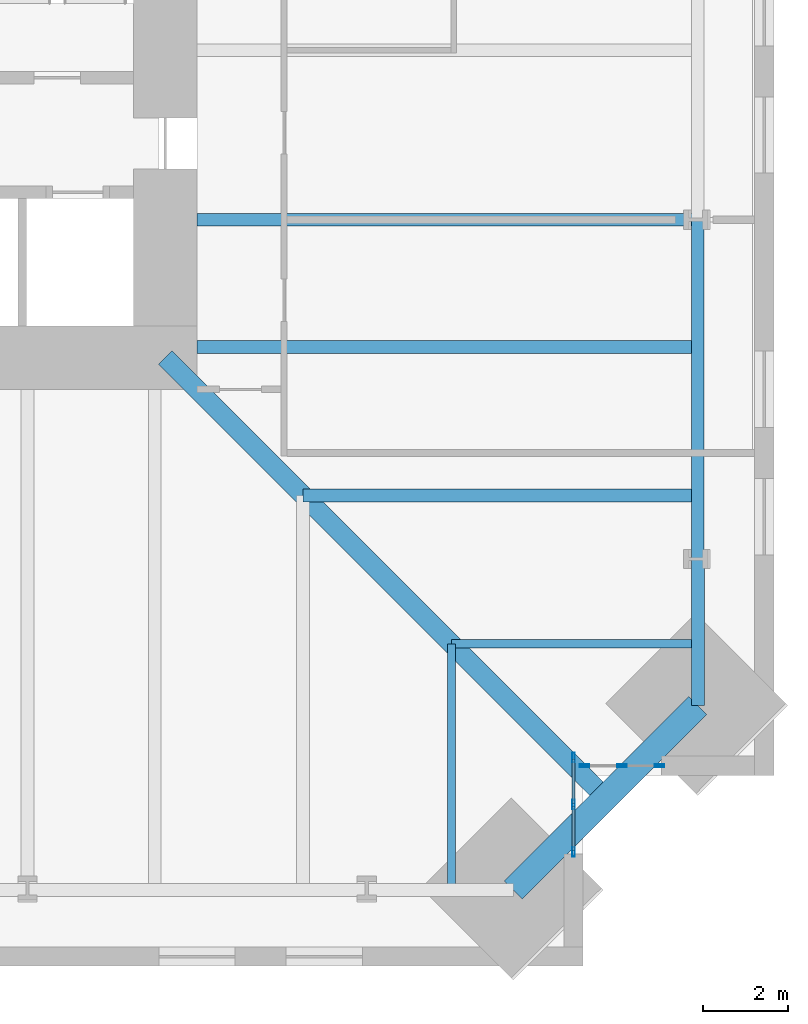
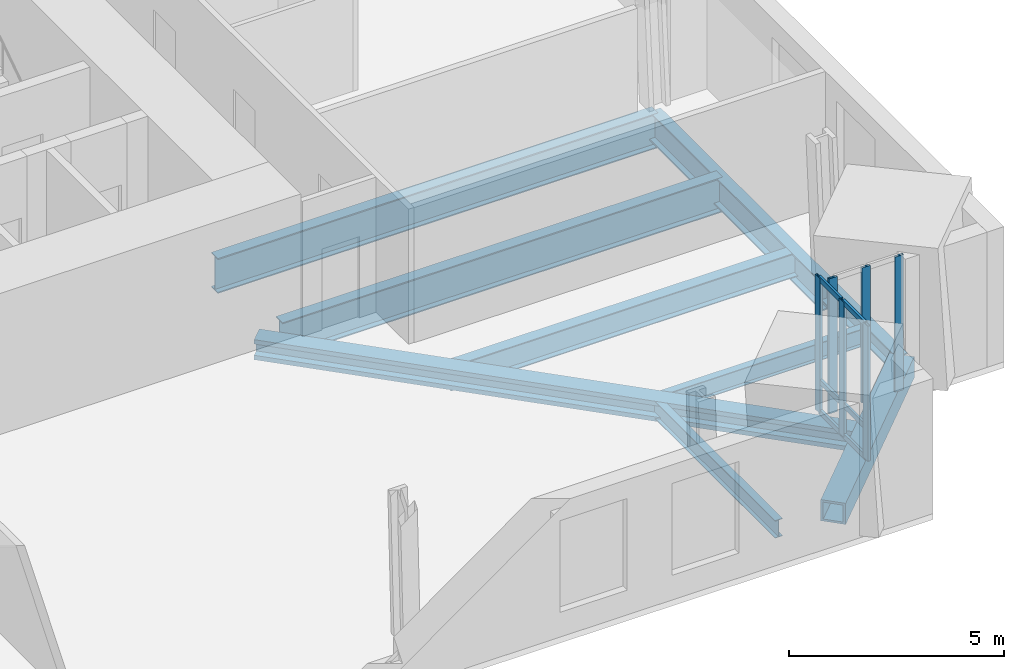
# One storey, part 4 of 18: 12 members, 9 beams, 2 elements without a shape of their own.
"""IFC4 building model written with IfcOpenShell, lengths in metres."""

from ifc_helpers import new_model, si_unit, direction, frame, origin, origin_2d, place, context, subcontext, project, spatial, hollow_rectangle, i_section, extrude, material, material_profile, profile_set, type_object, element, aggregate, save


model = new_model("IFC4")

# Units and contexts
model_context = context("Model", 3, precision=1e-05, world=origin(), true_north=direction((0.0, 1.0)))
body_context = subcontext(model_context, "Body", "Model", "MODEL_VIEW")
ifc_project = project(units=[si_unit("LENGTHUNIT", "METRE"), si_unit("AREAUNIT", "SQUARE_METRE"), si_unit("VOLUMEUNIT", "CUBIC_METRE"), si_unit("PLANEANGLEUNIT", "RADIAN"), si_unit("MASSUNIT", "GRAM", prefix="KILO")], contexts=[model_context])

# Site, building, storey
site_placement = place(None, origin())
site = spatial("IfcSite", under=ifc_project, at=site_placement, CompositionType="ELEMENT")
building_placement = place(site_placement, origin())
building = spatial("IfcBuilding", under=site, at=building_placement, Name="Peilmerk Tower", CompositionType="ELEMENT")
storey_placement = place(building_placement, frame((0.0, 0.0, 175.800048828125)))
storey = spatial("IfcBuildingStorey", under=building, at=storey_placement, Name="L37", CompositionType="ELEMENT", Elevation=175.800048828125)

# Beams
ifc_material_1 = material(Name="Steel S355", Category="steel")
ifc_material_profile_1 = material_profile(ifc_material_1, i_section(OverallWidth=0.300048828125, OverallDepth=0.989990234375, WebThickness=0.0166015625, FlangeThickness=0.031005859375, at=origin_2d()), Name="HEA 1000")
ifc_profile_set_1 = profile_set([ifc_material_profile_1], Name="Steel S355")
beam_type_1 = type_object("IfcBeamType", Name="B14 HEA 1000 floor girder", PredefinedType="BEAM", material=ifc_profile_set_1)
for number, where, z_axis, x_axis, name in (
    (1, (12.0, -11.0, -0.6650390625), (1.0, 0.0, 0.0), (0.0, 1.0, 0.0), "Floor beam L37"),
    (2, (12.0, -8.0, -0.6650390625), (1.0, 0.0, 0.0), (0.0, 1.0, 0.0), "Floor beam L37"),
):
    element("IfcBeam", number, at=place(storey_placement, frame(where, z_axis=z_axis, x_axis=x_axis)), inside=storey, type_object=beam_type_1, Name=name, PredefinedType="BEAM", context=body_context, shape_type="SweptSolid", body=[
        extrude(i_section(OverallWidth=0.300048828125, OverallDepth=0.989990234375, WebThickness=0.0166015625, FlangeThickness=0.031005859375, at=origin_2d()), origin(), (0.0, 0.0, 1.0), 11.80810546875),
    ])
ifc_material_profile_2 = material_profile(ifc_material_1, i_section(OverallWidth=0.302978515625, OverallDepth=0.81396484375, WebThickness=0.02099609375, FlangeThickness=0.0400390625, at=origin_2d()), Name="HEM 800")
ifc_profile_set_2 = profile_set([ifc_material_profile_2], Name="Steel S355")
beam_type_2 = type_object("IfcBeamType", Name="B15 HEM 800 edge beam", PredefinedType="SPANDREL", material=ifc_profile_set_2)
beam_1_placement = place(storey_placement, frame((23.80810546875, -16.0, -0.5771484375), z_axis=(0.0, 1.0, 0.0), x_axis=(-1.0, 0.0, 0.0)))
element("IfcBeam", 3, at=beam_1_placement, inside=storey, type_object=beam_type_2, Name="Edge beam L37", PredefinedType="SPANDREL", context=body_context, shape_type="SweptSolid", body=[
    extrude(i_section(OverallWidth=0.302978515625, OverallDepth=0.81396484375, WebThickness=0.02099609375, FlangeThickness=0.0400390625, at=origin_2d()), origin(), (0.0, 0.0, 1.0), 8.0),
])
ifc_material_profile_3 = material_profile(ifc_material_1, i_section(OverallWidth=0.300048828125, OverallDepth=0.68994140625, WebThickness=0.014404296875, FlangeThickness=0.027099609375, at=origin_2d()), Name="HEA 700")
ifc_profile_set_3 = profile_set([ifc_material_profile_3], Name="Steel S355")
beam_type_3 = type_object("IfcBeamType", Name="B16 HEA 700 floor beam", PredefinedType="BEAM", material=ifc_profile_set_3)
beam_2_placement = place(storey_placement, frame((14.5, -14.5, -0.51513671875), z_axis=(1.0, 0.0, 0.0), x_axis=(0.0, 1.0, 0.0)))
element("IfcBeam", 4, at=beam_2_placement, inside=storey, type_object=beam_type_3, Name="Floor beam L37", PredefinedType="BEAM", context=body_context, shape_type="SweptSolid", body=[
    extrude(i_section(OverallWidth=0.300048828125, OverallDepth=0.68994140625, WebThickness=0.014404296875, FlangeThickness=0.027099609375, at=origin_2d()), origin(), (0.0, 0.0, 1.0), 9.30810546875),
])
ifc_material_2 = material(Name="Steel S460", Category="steel")
ifc_material_profile_4 = material_profile(ifc_material_2, hollow_rectangle(XDim=0.60009765625, YDim=0.60009765625, WallThickness=0.06005859375, at=origin_2d()), Name="BOX 600x600x60")
ifc_profile_set_4 = profile_set([ifc_material_profile_4], Name="Steel S460")
beam_type_4 = type_object("IfcBeamType", Name="B20 BOX 600x600x60 notch beam", PredefinedType="SPANDREL", material=ifc_profile_set_4)
beam_3_placement = place(storey_placement, frame((23.80810546875, -19.4580078125, -0.469970703125), z_axis=(-0.707106781187, -0.707106781187, 0.0), x_axis=(0.707106781187, -0.707106781187, 0.0)))
element("IfcBeam", 5, at=beam_3_placement, inside=storey, type_object=beam_type_4, Name="Notch beam L37", PredefinedType="SPANDREL", context=body_context, shape_type="SweptSolid", body=[
    extrude(hollow_rectangle(XDim=0.60009765625, YDim=0.60009765625, WallThickness=0.06005859375, at=origin_2d()), origin(), (0.0, 0.0, 1.0), 6.15185546875),
])
ifc_material_profile_5 = material_profile(ifc_material_1, i_section(OverallWidth=0.199951171875, OverallDepth=0.5, WebThickness=0.01025390625, FlangeThickness=0.01611328125, at=origin_2d()), Name="IPE 500")
ifc_profile_set_5 = profile_set([ifc_material_profile_5], Name="Steel S355")
beam_type_5 = type_object("IfcBeamType", Name="B32 IPE 500 floor beam", PredefinedType="BEAM", material=ifc_profile_set_5)
for number, where, z_axis, x_axis, name in (
    (6, (18.0, -18.0, -0.420166015625), (0.0, -1.0, 0.0), (1.0, 0.0, 0.0), "Floor beam L37"),
    (7, (18.0, -18.0, -0.420166015625), (1.0, 0.0, 0.0), (0.0, 1.0, 0.0), "Floor beam L37"),
):
    element("IfcBeam", number, at=place(storey_placement, frame(where, z_axis=z_axis, x_axis=x_axis)), inside=storey, type_object=beam_type_5, Name=name, PredefinedType="BEAM", context=body_context, shape_type="SweptSolid", body=[
        extrude(i_section(OverallWidth=0.199951171875, OverallDepth=0.5, WebThickness=0.01025390625, FlangeThickness=0.01611328125, at=origin_2d()), origin(), (0.0, 0.0, 1.0), 5.80810546875),
    ])
ifc_material_profile_6 = material_profile(ifc_material_1, i_section(OverallWidth=0.305908203125, OverallDepth=0.52392578125, WebThickness=0.02099609375, FlangeThickness=0.0400390625, at=origin_2d()), Name="HEM 500")
ifc_profile_set_6 = profile_set([ifc_material_profile_6], Name="Steel S355")
beam_type_6 = type_object("IfcBeamType", Name="B33 HEM 500 edge beam", PredefinedType="SPANDREL", material=ifc_profile_set_6)
beam_4_placement = place(storey_placement, frame((23.80810546875, -19.4580078125, -0.43212890625), z_axis=(0.0, 1.0, 0.0), x_axis=(-1.0, 0.0, 0.0)))
element("IfcBeam", 8, at=beam_4_placement, inside=storey, type_object=beam_type_6, Name="Edge beam L37", PredefinedType="SPANDREL", context=body_context, shape_type="SweptSolid", body=[
    extrude(i_section(OverallWidth=0.305908203125, OverallDepth=0.52392578125, WebThickness=0.02099609375, FlangeThickness=0.0400390625, at=origin_2d()), origin(), (0.0, 0.0, 1.0), 3.4580078125),
])
ifc_material_profile_7 = material_profile(ifc_material_2, i_section(OverallWidth=0.4541015625, OverallDepth=0.569091796875, WebThickness=0.077880859375, FlangeThickness=0.125, at=origin_2d()), Name="HD 400x1086")
ifc_profile_set_7 = profile_set([ifc_material_profile_7], Name="Steel S460")
beam_type_7 = type_object("IfcBeamType", Name="B9 HD 400x1086 corner girder", PredefinedType="BEAM", material=ifc_profile_set_7)
beam_5_placement = place(storey_placement, frame((11.25, -11.25, -0.45458984375), z_axis=(0.707106781187, -0.707106781187, 0.0), x_axis=(0.707106781187, 0.707106781187, 0.0)))
element("IfcBeam", 9, at=beam_5_placement, inside=storey, type_object=beam_type_7, Name="Corner girder L37", PredefinedType="BEAM", context=body_context, shape_type="SweptSolid", body=[
    extrude(i_section(OverallWidth=0.4541015625, OverallDepth=0.569091796875, WebThickness=0.077880859375, FlangeThickness=0.125, at=origin_2d()), origin(), (0.0, 0.0, 1.0), 14.683837890625),
])

# Curtain wall, members
ifc_material_3 = material(Name="Aluminium stick curtain wall", Category="aluminium")
curtain_wall_type = type_object("IfcCurtainWallType", Name="CW3 stick curtain wall, 2250 module", PredefinedType="NOTDEFINED", material=ifc_material_3)
curtain_wall_1_placement = place(storey_placement, origin())
curtain_wall_1 = element("IfcCurtainWall", 10, at=curtain_wall_1_placement, inside=storey, type_object=curtain_wall_type, Name="Curtain wall CW3 SEA L37", PredefinedType="NOTDEFINED")
ifc_material_4 = material(Name="Aluminium EN AW-6063 T6", Category="aluminium")
ifc_material_profile_8 = material_profile(ifc_material_4, hollow_rectangle(XDim=0.06494140625, YDim=0.22509765625, WallThickness=0.00390625, at=origin_2d()), Name="AL 225x65x4")
ifc_profile_set_8 = profile_set([ifc_material_profile_8], Name="Aluminium EN AW-6063 T6")
member_type_1 = type_object("IfcMemberType", Name="CW3-M AL 225x65x4 mullion", PredefinedType="MULLION", material=ifc_profile_set_8)
member_1_placement = place(storey_placement, frame((20.875, -20.6826171875, 0.0), z_axis=(0.0, 0.0, 1.0), x_axis=(1.0, 0.0, 0.0)))
member_1 = element("IfcMember", 11, at=member_1_placement, type_object=member_type_1, Name="CW3 mullion 1", PredefinedType="MULLION", context=body_context, shape_type="SweptSolid", body=[
    extrude(hollow_rectangle(XDim=0.06494140625, YDim=0.22509765625, WallThickness=0.00390625, at=origin_2d()), origin(), (0.0, 0.0, 1.0), 3.829833984375),
])
member_2_placement = place(storey_placement, frame((20.875, -21.79443359375, 0.0), z_axis=(0.0, 0.0, 1.0), x_axis=(1.0, 0.0, 0.0)))
member_2 = element("IfcMember", 12, at=member_2_placement, type_object=member_type_1, Name="CW3 mullion 2", PredefinedType="MULLION", context=body_context, shape_type="SweptSolid", body=[
    extrude(hollow_rectangle(XDim=0.06494140625, YDim=0.22509765625, WallThickness=0.00390625, at=origin_2d()), origin(), (0.0, 0.0, 1.0), 3.829833984375),
])
member_3_placement = place(storey_placement, frame((20.875, -22.90625, 0.0), z_axis=(0.0, 0.0, 1.0), x_axis=(1.0, 0.0, 0.0)))
member_3 = element("IfcMember", 13, at=member_3_placement, type_object=member_type_1, Name="CW3 mullion 3", PredefinedType="MULLION", context=body_context, shape_type="SweptSolid", body=[
    extrude(hollow_rectangle(XDim=0.06494140625, YDim=0.22509765625, WallThickness=0.00390625, at=origin_2d()), origin(), (0.0, 0.0, 1.0), 3.829833984375),
])

curtain_wall_2_placement = place(storey_placement, origin())
curtain_wall_2 = element("IfcCurtainWall", 14, at=curtain_wall_2_placement, inside=storey, type_object=curtain_wall_type, Name="Curtain wall CW3 SEB L37", PredefinedType="NOTDEFINED")
member_4_placement = place(storey_placement, frame((21.132568359375, -20.875, 0.0), z_axis=(0.0, 0.0, 1.0), x_axis=(0.0, 1.0, 0.0)))
member_4 = element("IfcMember", 15, at=member_4_placement, type_object=member_type_1, Name="CW3 mullion 1", PredefinedType="MULLION", context=body_context, shape_type="SweptSolid", body=[
    extrude(hollow_rectangle(XDim=0.06494140625, YDim=0.22509765625, WallThickness=0.00390625, at=origin_2d()), origin(), (0.0, 0.0, 1.0), 3.829833984375),
])
member_5_placement = place(storey_placement, frame((22.019287109375, -20.875, 0.0), z_axis=(0.0, 0.0, 1.0), x_axis=(0.0, 1.0, 0.0)))
member_5 = element("IfcMember", 16, at=member_5_placement, type_object=member_type_1, Name="CW3 mullion 2", PredefinedType="MULLION", context=body_context, shape_type="SweptSolid", body=[
    extrude(hollow_rectangle(XDim=0.06494140625, YDim=0.22509765625, WallThickness=0.00390625, at=origin_2d()), origin(), (0.0, 0.0, 1.0), 3.829833984375),
])
member_6_placement = place(storey_placement, frame((22.90625, -20.875, 0.0), z_axis=(0.0, 0.0, 1.0), x_axis=(0.0, 1.0, 0.0)))
member_6 = element("IfcMember", 17, at=member_6_placement, type_object=member_type_1, Name="CW3 mullion 3", PredefinedType="MULLION", context=body_context, shape_type="SweptSolid", body=[
    extrude(hollow_rectangle(XDim=0.06494140625, YDim=0.22509765625, WallThickness=0.00390625, at=origin_2d()), origin(), (0.0, 0.0, 1.0), 3.829833984375),
])
aggregate(curtain_wall_2, [member_4, member_5, member_6])

# Member
ifc_material_profile_9 = material_profile(ifc_material_4, hollow_rectangle(XDim=0.06494140625, YDim=0.14990234375, WallThickness=0.0029296875, at=origin_2d()), Name="AL 150x65x3")
ifc_profile_set_9 = profile_set([ifc_material_profile_9], Name="Aluminium EN AW-6063 T6")
member_type_2 = type_object("IfcMemberType", Name="CW3-T AL 150x65x3 transom", PredefinedType="USERDEFINED", material=ifc_profile_set_9)
member_7_placement = place(storey_placement, frame((20.875, -20.715087890625, 0.032470703125), z_axis=(0.0, -1.0, 0.0), x_axis=(1.0, 0.0, 0.0)))
member_7 = element("IfcMember", 18, at=member_7_placement, type_object=member_type_2, Name="CW3 transom 1.1", ObjectType="TRANSOM", PredefinedType="USERDEFINED", context=body_context, shape_type="SweptSolid", body=[
    extrude(hollow_rectangle(XDim=0.06494140625, YDim=0.14990234375, WallThickness=0.0029296875, at=origin_2d()), origin(), (0.0, 0.0, 1.0), 1.046630859375),
])

member_8_placement = place(storey_placement, frame((20.875, -20.715087890625, 0.89990234375), z_axis=(0.0, -1.0, 0.0), x_axis=(1.0, 0.0, 0.0)))
member_8 = element("IfcMember", 19, at=member_8_placement, type_object=member_type_2, Name="CW3 transom 1.2", ObjectType="TRANSOM", PredefinedType="USERDEFINED", context=body_context, shape_type="SweptSolid", body=[
    extrude(hollow_rectangle(XDim=0.06494140625, YDim=0.14990234375, WallThickness=0.0029296875, at=origin_2d()), origin(), (0.0, 0.0, 1.0), 1.046630859375),
])

member_9_placement = place(storey_placement, frame((20.875, -20.715087890625, 3.79736328125), z_axis=(0.0, -1.0, 0.0), x_axis=(1.0, 0.0, 0.0)))
member_9 = element("IfcMember", 20, at=member_9_placement, type_object=member_type_2, Name="CW3 transom 1.3", ObjectType="TRANSOM", PredefinedType="USERDEFINED", context=body_context, shape_type="SweptSolid", body=[
    extrude(hollow_rectangle(XDim=0.06494140625, YDim=0.14990234375, WallThickness=0.0029296875, at=origin_2d()), origin(), (0.0, 0.0, 1.0), 1.046630859375),
])

member_10_placement = place(storey_placement, frame((20.875, -21.826904296875, 0.032470703125), z_axis=(0.0, -1.0, 0.0), x_axis=(1.0, 0.0, 0.0)))
member_10 = element("IfcMember", 21, at=member_10_placement, type_object=member_type_2, Name="CW3 transom 2.1", ObjectType="TRANSOM", PredefinedType="USERDEFINED", context=body_context, shape_type="SweptSolid", body=[
    extrude(hollow_rectangle(XDim=0.06494140625, YDim=0.14990234375, WallThickness=0.0029296875, at=origin_2d()), origin(), (0.0, 0.0, 1.0), 1.046875),
])

member_11_placement = place(storey_placement, frame((20.875, -21.826904296875, 0.89990234375), z_axis=(0.0, -1.0, 0.0), x_axis=(1.0, 0.0, 0.0)))
member_11 = element("IfcMember", 22, at=member_11_placement, type_object=member_type_2, Name="CW3 transom 2.2", ObjectType="TRANSOM", PredefinedType="USERDEFINED", context=body_context, shape_type="SweptSolid", body=[
    extrude(hollow_rectangle(XDim=0.06494140625, YDim=0.14990234375, WallThickness=0.0029296875, at=origin_2d()), origin(), (0.0, 0.0, 1.0), 1.046875),
])

member_12_placement = place(storey_placement, frame((20.875, -21.826904296875, 3.79736328125), z_axis=(0.0, -1.0, 0.0), x_axis=(1.0, 0.0, 0.0)))
member_12 = element("IfcMember", 23, at=member_12_placement, type_object=member_type_2, Name="CW3 transom 2.3", ObjectType="TRANSOM", PredefinedType="USERDEFINED", context=body_context, shape_type="SweptSolid", body=[
    extrude(hollow_rectangle(XDim=0.06494140625, YDim=0.14990234375, WallThickness=0.0029296875, at=origin_2d()), origin(), (0.0, 0.0, 1.0), 1.046875),
])

aggregate(curtain_wall_1, [member_1, member_2, member_3, member_7, member_8, member_9, member_10, member_11, member_12])

save(model, "model.ifc")
